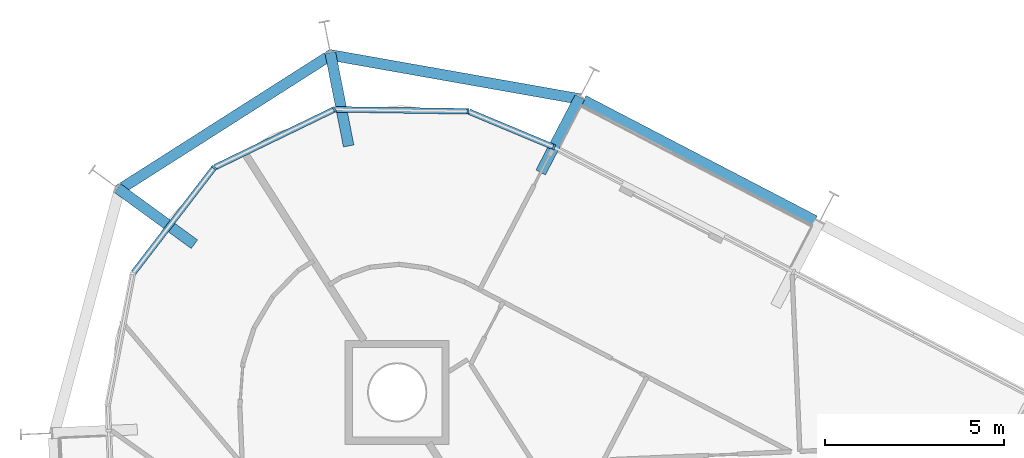
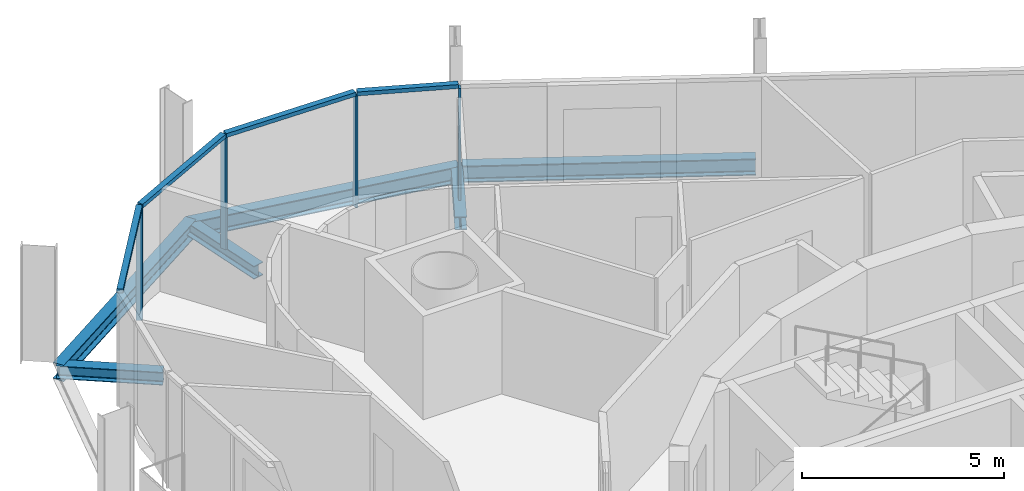
# One storey, part 8 of 18: 8 members, 6 beams, 1 element without a shape of its own.
"""IFC4 building model written with IfcOpenShell, lengths in metres."""

from ifc_helpers import new_model, si_unit, direction, frame, origin, origin_2d, place, context, subcontext, project, spatial, rectangle, i_section, extrude, material, layer, layer_set, material_profile, profile_set, type_object, element, aggregate, save


model = new_model("IFC4")

# Units and contexts
model_context = context("Model", 3, precision=1e-05, world=origin(), true_north=direction((0.0, 1.0)))
body_context = subcontext(model_context, "Body", "Model", "MODEL_VIEW")
ifc_project = project(units=[si_unit("LENGTHUNIT", "METRE"), si_unit("AREAUNIT", "SQUARE_METRE"), si_unit("VOLUMEUNIT", "CUBIC_METRE"), si_unit("PLANEANGLEUNIT", "RADIAN"), si_unit("MASSUNIT", "GRAM", prefix="KILO")], contexts=[model_context])

# Site, building, storey
site_placement = place(None, origin())
site = spatial("IfcSite", under=ifc_project, at=site_placement, CompositionType="ELEMENT")
building_placement = place(site_placement, origin())
building = spatial("IfcBuilding", under=site, at=building_placement, Name="Spindle Arch Residences", CompositionType="ELEMENT")
storey_placement = place(building_placement, frame((0.0, 0.0, 247.699951171875)))
storey = spatial("IfcBuildingStorey", under=building, at=storey_placement, Name="L63", CompositionType="ELEMENT", Elevation=247.699951171875)

# Curtain wall, members
ifc_material_1 = material(Name="Aluminium bronze unitised frame with tinted glass", Category="aluminium")
ifc_layer = layer(ifc_material_1, 0.159912109375)
ifc_layer_set = layer_set([ifc_layer], Name="CW-D corner wall on the fillet arcs")
curtain_wall_type = type_object("IfcCurtainWallType", Name="CW-D corner wall on the fillet arcs", PredefinedType="NOTDEFINED", material=ifc_layer_set)
curtain_wall_placement = place(storey_placement, origin())
curtain_wall = element("IfcCurtainWall", 1, at=curtain_wall_placement, inside=storey, type_object=curtain_wall_type, Name="CW-D L63 run 3", PredefinedType="NOTDEFINED")
ifc_material_2 = material(Name="Aluminium bronze anodised mullion", Category="aluminium")
ifc_material_profile_1 = material_profile(ifc_material_2, rectangle(XDim=0.159912109375, YDim=0.06005859375, at=origin_2d()), Name="MU 60x160")
ifc_profile_set_1 = profile_set([ifc_material_profile_1], Name="Aluminium bronze anodised mullion")
member_type_1 = type_object("IfcMemberType", Name="Bronze mullion 60x160", PredefinedType="MULLION", material=ifc_profile_set_1)
member_1_placement = place(storey_placement, frame((-6.19970703125, 23.423828125, -0.3798828125), z_axis=(0.0, 0.0, 1.0), x_axis=(-0.385552013734, -0.92268610302, 0.0)))
member_1 = element("IfcMember", 2, at=member_1_placement, type_object=member_type_1, Name="CW-D mullion 00", PredefinedType="MULLION", context=body_context, shape_type="SweptSolid", body=[
    extrude(rectangle(XDim=0.159912109375, YDim=0.06005859375, at=origin_2d()), origin(), (0.0, 0.0, 1.0), 3.3798828125),
])
member_2_placement = place(storey_placement, frame((-8.590576171875, 24.422607421875, -0.3798828125), z_axis=(0.0, 0.0, 1.0), x_axis=(-0.014543896145, -0.999894231949, 0.0)))
member_2 = element("IfcMember", 3, at=member_2_placement, type_object=member_type_1, Name="CW-D mullion 01", PredefinedType="MULLION", context=body_context, shape_type="SweptSolid", body=[
    extrude(rectangle(XDim=0.159912109375, YDim=0.06005859375, at=origin_2d()), origin(), (0.0, 0.0, 1.0), 3.3798828125),
])
member_3_placement = place(storey_placement, frame((-12.31689453125, 24.476806640625, -0.3798828125), z_axis=(0.0, 0.0, 1.0), x_axis=(0.435754815677, -0.900065409075, 0.0)))
member_3 = element("IfcMember", 4, at=member_3_placement, type_object=member_type_1, Name="CW-D mullion 02", PredefinedType="MULLION", context=body_context, shape_type="SweptSolid", body=[
    extrude(rectangle(XDim=0.159912109375, YDim=0.06005859375, at=origin_2d()), origin(), (0.0, 0.0, 1.0), 3.3798828125),
])
member_4_placement = place(storey_placement, frame((-15.671142578125, 22.85302734375, -0.3798828125), z_axis=(0.0, 0.0, 1.0), x_axis=(0.793353344679, -0.60876142329, 0.0)))
member_4 = element("IfcMember", 5, at=member_4_placement, type_object=member_type_1, Name="CW-D mullion 03", PredefinedType="MULLION", context=body_context, shape_type="SweptSolid", body=[
    extrude(rectangle(XDim=0.159912109375, YDim=0.06005859375, at=origin_2d()), origin(), (0.0, 0.0, 1.0), 3.3798828125),
])
ifc_material_3 = material(Name="Aluminium bronze anodised transom", Category="aluminium")
ifc_material_profile_2 = material_profile(ifc_material_3, rectangle(XDim=0.159912109375, YDim=0.1201171875, at=origin_2d()), Name="TR 120x160")
ifc_profile_set_2 = profile_set([ifc_material_profile_2], Name="Aluminium bronze anodised transom")
member_type_2 = type_object("IfcMemberType", Name="Bronze transom 120x160", PredefinedType="USERDEFINED", material=ifc_profile_set_2)
member_5_placement = place(storey_placement, frame((-6.2275390625, 23.435302734375, 3.06005859375), z_axis=(-0.922679730335, 0.385567264208, 0.0), x_axis=(-0.385567264208, -0.922679730335, 0.0)))
member_5 = element("IfcMember", 6, at=member_5_placement, type_object=member_type_2, Name="CW-D transom 00", ObjectType="TRANSOM", PredefinedType="USERDEFINED", context=body_context, shape_type="SweptSolid", body=[
    extrude(rectangle(XDim=0.159912109375, YDim=0.1201171875, at=origin_2d()), origin(), (0.0, 0.0, 1.0), 2.531005859375),
])
member_6_placement = place(storey_placement, frame((-8.620361328125, 24.423095703125, 3.06005859375), z_axis=(-0.999893692287, 0.014580950766, 0.0), x_axis=(-0.014580950766, -0.999893692287, 0.0)))
member_6 = element("IfcMember", 7, at=member_6_placement, type_object=member_type_2, Name="CW-D transom 01", ObjectType="TRANSOM", PredefinedType="USERDEFINED", context=body_context, shape_type="SweptSolid", body=[
    extrude(rectangle(XDim=0.159912109375, YDim=0.1201171875, at=origin_2d()), origin(), (0.0, 0.0, 1.0), 3.6669921875),
])
member_7_placement = place(storey_placement, frame((-12.34375, 24.4638671875, 3.06005859375), z_axis=(-0.900053962869, -0.435778457388, 0.0), x_axis=(0.435778457388, -0.900053962869, 0.0)))
member_7 = element("IfcMember", 8, at=member_7_placement, type_object=member_type_2, Name="CW-D transom 02", ObjectType="TRANSOM", PredefinedType="USERDEFINED", context=body_context, shape_type="SweptSolid", body=[
    extrude(rectangle(XDim=0.159912109375, YDim=0.1201171875, at=origin_2d()), origin(), (0.0, 0.0, 1.0), 3.666748046875),
])
member_8_placement = place(storey_placement, frame((-15.689453125, 22.8291015625, 3.06005859375), z_axis=(-0.608773956943, -0.793343727112, 0.0), x_axis=(0.793343727112, -0.608773956943, 0.0)))
member_8 = element("IfcMember", 9, at=member_8_placement, type_object=member_type_2, Name="CW-D transom 03", ObjectType="TRANSOM", PredefinedType="USERDEFINED", context=body_context, shape_type="SweptSolid", body=[
    extrude(rectangle(XDim=0.159912109375, YDim=0.1201171875, at=origin_2d()), origin(), (0.0, 0.0, 1.0), 3.666748046875),
])
aggregate(curtain_wall, [member_1, member_5, member_2, member_6, member_3, member_7, member_4, member_8])

# Beams
ifc_material_4 = material(Name="Steel S460ML, intumescent coating R 120", Category="steel")
ifc_material_profile_3 = material_profile(ifc_material_4, i_section(OverallWidth=0.300048828125, OverallDepth=0.5, WebThickness=0.014404296875, FlangeThickness=0.028076171875, FilletRadius=0.027099609375, at=origin_2d()), Name="HEB 500")
ifc_profile_set_3 = profile_set([ifc_material_profile_3], Name="Steel S460ML, intumescent coating R 120")
beam_type_1 = type_object("IfcBeamType", Name="Exoskeleton edge beam HEB 500", PredefinedType="BEAM", material=ifc_profile_set_3)
beam_1_placement = place(storey_placement, frame((1.0751953125, 21.372802734375, -0.6298828125), z_axis=(-0.887007222688, 0.461755548857, 0.0), x_axis=(-0.461755548857, -0.887007222688, 0.0)))
element("IfcBeam", 10, at=beam_1_placement, inside=storey, type_object=beam_type_1, Name="Exoskeleton edge beam 9", PredefinedType="BEAM", context=body_context, shape_type="SweptSolid", body=[
    extrude(i_section(OverallWidth=0.300048828125, OverallDepth=0.5, WebThickness=0.014404296875, FlangeThickness=0.028076171875, FilletRadius=0.027099609375, at=origin_2d()), origin(), (0.0, 0.0, 1.0), 7.27001953125),
])
beam_2_placement = place(storey_placement, frame((-5.46337890625, 24.762939453125, -0.6298828125), z_axis=(-0.984720537274, 0.174142078404, 0.0), x_axis=(-0.174142078404, -0.984720537274, 0.0)))
element("IfcBeam", 11, at=beam_2_placement, inside=storey, type_object=beam_type_1, Name="Exoskeleton edge beam 10", PredefinedType="BEAM", context=body_context, shape_type="SweptSolid", body=[
    extrude(i_section(OverallWidth=0.300048828125, OverallDepth=0.5, WebThickness=0.014404296875, FlangeThickness=0.028076171875, FilletRadius=0.027099609375, at=origin_2d()), origin(), (0.0, 0.0, 1.0), 7.105224609375),
])
beam_3_placement = place(storey_placement, frame((-12.371337890625, 26.0234375, -0.6298828125), z_axis=(-0.843392249939, -0.537298346119, 0.0), x_axis=(0.537298346119, -0.843392249939, 0.0)))
element("IfcBeam", 12, at=beam_3_placement, inside=storey, type_object=beam_type_1, Name="Exoskeleton edge beam 11", PredefinedType="BEAM", context=body_context, shape_type="SweptSolid", body=[
    extrude(i_section(OverallWidth=0.300048828125, OverallDepth=0.5, WebThickness=0.014404296875, FlangeThickness=0.028076171875, FilletRadius=0.027099609375, at=origin_2d()), origin(), (0.0, 0.0, 1.0), 7.09716796875),
])
ifc_material_5 = material(Name="Steel S460ML, intumescent coating R 120", Category="steel")
ifc_material_profile_4 = material_profile(ifc_material_5, i_section(OverallWidth=0.300048828125, OverallDepth=0.389892578125, WebThickness=0.010986328125, FlangeThickness=0.01904296875, FilletRadius=0.027099609375, at=origin_2d()), Name="HEA 400")
ifc_profile_set_4 = profile_set([ifc_material_profile_4], Name="Steel S460ML, intumescent coating R 120")
beam_type_2 = type_object("IfcBeamType", Name="Floor outrigger HEA 400", PredefinedType="BEAM", material=ifc_profile_set_4)
beam_4_placement = place(storey_placement, frame((-5.474853515625, 24.81640625, -0.574951171875), z_axis=(-0.46171971426, -0.887025876434, 0.0), x_axis=(0.887025876434, -0.46171971426, 0.0)))
element("IfcBeam", 13, at=beam_4_placement, inside=storey, type_object=beam_type_2, Name="Floor outrigger 10", PredefinedType="BEAM", context=body_context, shape_type="SweptSolid", body=[
    extrude(i_section(OverallWidth=0.300048828125, OverallDepth=0.389892578125, WebThickness=0.010986328125, FlangeThickness=0.01904296875, FilletRadius=0.027099609375, at=origin_2d()), origin(), (0.0, 0.0, 1.0), 2.36669921875),
])
beam_5_placement = place(storey_placement, frame((-12.4326171875, 26.056640625, -0.574951171875), z_axis=(0.193191977973, -0.981160975399, 0.0), x_axis=(0.981160975399, 0.193191977973, 0.0)))
element("IfcBeam", 14, at=beam_5_placement, inside=storey, type_object=beam_type_2, Name="Floor outrigger 11", PredefinedType="BEAM", context=body_context, shape_type="SweptSolid", body=[
    extrude(i_section(OverallWidth=0.300048828125, OverallDepth=0.389892578125, WebThickness=0.010986328125, FlangeThickness=0.01904296875, FilletRadius=0.027099609375, at=origin_2d()), origin(), (0.0, 0.0, 1.0), 2.64990234375),
])
beam_6_placement = place(storey_placement, frame((-18.361083984375, 22.27978515625, -0.574951171875), z_axis=(0.807563254959, -0.589780967174, 0.0), x_axis=(0.589780967174, 0.807563254959, 0.0)))
element("IfcBeam", 15, at=beam_6_placement, inside=storey, type_object=beam_type_2, Name="Floor outrigger 12", PredefinedType="BEAM", context=body_context, shape_type="SweptSolid", body=[
    extrude(i_section(OverallWidth=0.300048828125, OverallDepth=0.389892578125, WebThickness=0.010986328125, FlangeThickness=0.01904296875, FilletRadius=0.027099609375, at=origin_2d()), origin(), (0.0, 0.0, 1.0), 2.650146484375),
])

save(model, "model.ifc")
